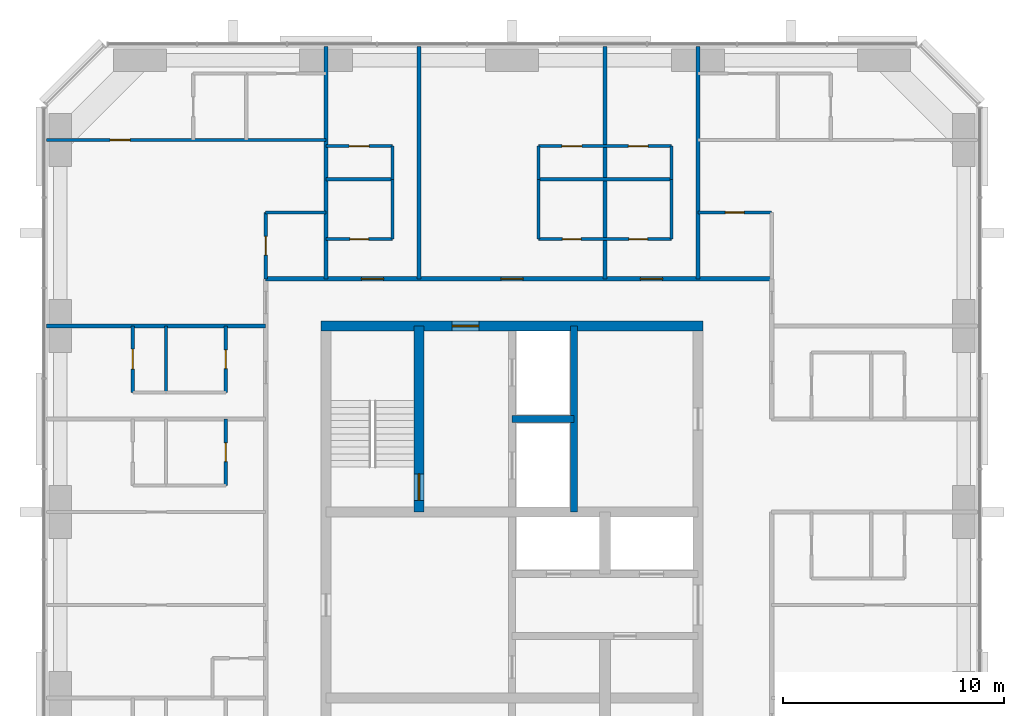
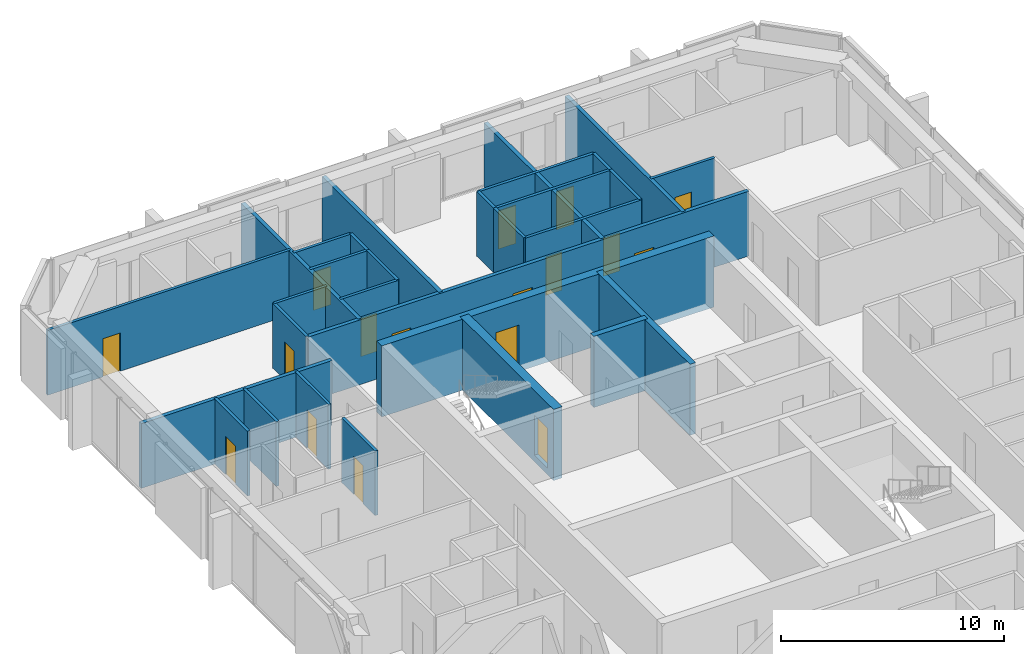
# One storey, part 10 of 12: 30 walls, 17 doors, 17 openings.
"""IFC4 building model written with IfcOpenShell, lengths in metres."""

from ifc_helpers import new_model, si_unit, direction, frame, frame_2d, origin, place, context, subcontext, project, spatial, rectangle, extrude, material, layer, layer_set, type_object, element, fill, save


model = new_model("IFC4")

# Units and contexts
model_context = context("Model", 3, precision=1e-05, world=origin(), true_north=direction((0.0, 1.0)))
body_context = subcontext(model_context, "Body", "Model", "MODEL_VIEW")
ifc_project = project(units=[si_unit("LENGTHUNIT", "METRE"), si_unit("AREAUNIT", "SQUARE_METRE"), si_unit("VOLUMEUNIT", "CUBIC_METRE"), si_unit("PLANEANGLEUNIT", "RADIAN"), si_unit("MASSUNIT", "GRAM", prefix="KILO")], contexts=[model_context])

# Site, building, storey
site_placement = place(None, origin())
site = spatial("IfcSite", under=ifc_project, at=site_placement, CompositionType="ELEMENT")
building_placement = place(site_placement, origin())
building = spatial("IfcBuilding", under=site, at=building_placement, Name="Dunama Terrace Hotel", CompositionType="ELEMENT")
storey_placement = place(building_placement, frame((0.0, 0.0, 268.5)))
storey = spatial("IfcBuildingStorey", under=building, at=storey_placement, Name="L69", CompositionType="ELEMENT", Elevation=268.5)

# Wall, opening, door
ifc_material_1 = material(Name="Gypsum board partition", Category="masonry")
ifc_layer_1 = layer(ifc_material_1, 0.14990234375)
ifc_layer_set_1 = layer_set([ifc_layer_1], Name="Bathroom partition 150")
wall_type_1 = type_object("IfcWallType", Name="Bathroom partition 150", PredefinedType="PARTITIONING", material=ifc_layer_set_1)
wall_1_placement = place(storey_placement, frame((20.675048828125, 34.800048828125, 0.0), z_axis=(0.0, 0.0, 1.0), x_axis=(0.0, 1.0, 0.0)))
wall_1 = element("IfcWall", 1, at=wall_1_placement, inside=storey, type_object=wall_type_1, Name="Bathroom partition 150 L69", PredefinedType="PARTITIONING", context=body_context, shape_type="SweptSolid", body=[
    extrude(rectangle(XDim=3.0, YDim=0.14990234375, at=frame_2d((1.5, 0.0))), origin(), (0.0, 0.0, 1.0), 3.550048828125),
])
opening_1_placement = place(wall_1_placement, frame((1.074951171875, 0.0, 0.0)))
opening_1 = element("IfcOpeningElement", 2, at=opening_1_placement, cuts=wall_1, Name="Opening L68-70-047", PredefinedType="OPENING", context=body_context, shape_type="SweptSolid", body=[
    extrude(rectangle(XDim=0.85009765625, YDim=2.10009765625, at=frame_2d((0.425048828125, 1.050048828125))), frame((0.0, 0.0849609375, 0.0), z_axis=(0.0, -1.0, 0.0), x_axis=(1.0, 0.0, 0.0)), (0.0, 0.0, 1.0), 0.169921875),
])
ifc_material_2 = material(Name="Timber door with steel frame", Category="steel")
door_type_1 = type_object("IfcDoorType", Name="Bathroom door 850", OperationType="SINGLE_SWING_LEFT", PredefinedType="DOOR", material=ifc_material_2)
door_1_placement = place(opening_1_placement, origin())
door_1 = element("IfcDoor", 3, at=door_1_placement, inside=storey, type_object=door_type_1, Name="Door to en-suite bathroom L68-70-047, type D2", OperationType="SINGLE_SWING_RIGHT", OverallHeight=2.10009765625, OverallWidth=0.85009765625, PredefinedType="DOOR", context=body_context, shape_type="SweptSolid", body=[
    extrude(rectangle(XDim=0.85009765625, YDim=2.10009765625, at=frame_2d((0.425048828125, 1.050048828125))), frame((0.0, 0.02490234375, 0.0), z_axis=(0.0, -1.0, 0.0), x_axis=(1.0, 0.0, 0.0)), (0.0, 0.0, 1.0), 0.050048828125),
])
fill(opening_1, door_1)

wall_2_placement = place(storey_placement, frame((20.675048828125, 39.0, 0.0), z_axis=(0.0, 0.0, 1.0), x_axis=(0.0, 1.0, 0.0)))
wall_2 = element("IfcWall", 4, at=wall_2_placement, inside=storey, type_object=wall_type_1, Name="Bathroom partition 150 L69", PredefinedType="PARTITIONING", context=body_context, shape_type="SweptSolid", body=[
    extrude(rectangle(XDim=3.0, YDim=0.14990234375, at=frame_2d((1.5, 0.0))), origin(), (0.0, 0.0, 1.0), 3.550048828125),
])
opening_2_placement = place(wall_2_placement, frame((1.074951171875, 0.0, 0.0)))
opening_2 = element("IfcOpeningElement", 5, at=opening_2_placement, cuts=wall_2, Name="Opening L68-70-050", PredefinedType="OPENING", context=body_context, shape_type="SweptSolid", body=[
    extrude(rectangle(XDim=0.85009765625, YDim=2.10009765625, at=frame_2d((0.425048828125, 1.050048828125))), frame((0.0, 0.0849609375, 0.0), z_axis=(0.0, -1.0, 0.0), x_axis=(1.0, 0.0, 0.0)), (0.0, 0.0, 1.0), 0.169921875),
])
door_2_placement = place(opening_2_placement, origin())
door_2 = element("IfcDoor", 6, at=door_2_placement, inside=storey, type_object=door_type_1, Name="Door to en-suite bathroom L68-70-050, type D2", OperationType="SINGLE_SWING_RIGHT", OverallHeight=2.10009765625, OverallWidth=0.85009765625, PredefinedType="DOOR", context=body_context, shape_type="SweptSolid", body=[
    extrude(rectangle(XDim=0.85009765625, YDim=2.10009765625, at=frame_2d((0.425048828125, 1.050048828125))), frame((0.0, 0.02490234375, 0.0), z_axis=(0.0, -1.0, 0.0), x_axis=(1.0, 0.0, 0.0)), (0.0, 0.0, 1.0), 0.050048828125),
])
fill(opening_2, door_2)

wall_3_placement = place(storey_placement, frame((22.47509765625, 44.125, 0.0), z_axis=(0.0, 0.0, 1.0), x_axis=(0.0, 1.0, 0.0)))
wall_3 = element("IfcWall", 7, at=wall_3_placement, inside=storey, type_object=wall_type_1, Name="Bathroom partition 150 L69", PredefinedType="PARTITIONING", context=body_context, shape_type="SweptSolid", body=[
    extrude(rectangle(XDim=3.0, YDim=0.14990234375, at=frame_2d((1.5, 0.0))), origin(), (0.0, 0.0, 1.0), 3.550048828125),
])
opening_3_placement = place(wall_3_placement, frame((1.074951171875, 0.0, 0.0)))
opening_3 = element("IfcOpeningElement", 8, at=opening_3_placement, cuts=wall_3, Name="Opening L68-70-068", PredefinedType="OPENING", context=body_context, shape_type="SweptSolid", body=[
    extrude(rectangle(XDim=0.85009765625, YDim=2.10009765625, at=frame_2d((0.425048828125, 1.050048828125))), frame((0.0, 0.0849609375, 0.0), z_axis=(0.0, -1.0, 0.0), x_axis=(1.0, 0.0, 0.0)), (0.0, 0.0, 1.0), 0.169921875),
])
door_3_placement = place(opening_3_placement, frame((0.85009765625, 0.0, 0.0), z_axis=(0.0, 0.0, 1.0), x_axis=(-1.0, 0.0, 0.0)))
door_3 = element("IfcDoor", 9, at=door_3_placement, inside=storey, type_object=door_type_1, Name="Door to powder room L68-70-068, type D2", OperationType="SINGLE_SWING_RIGHT", OverallHeight=2.10009765625, OverallWidth=0.85009765625, PredefinedType="DOOR", context=body_context, shape_type="SweptSolid", body=[
    extrude(rectangle(XDim=0.85009765625, YDim=2.10009765625, at=frame_2d((0.425048828125, 1.050048828125))), frame((0.0, 0.025146484375, 0.0), z_axis=(0.0, -1.0, 0.0), x_axis=(1.0, 0.0, 0.0)), (0.0, 0.0, 1.0), 0.050048828125),
])
fill(opening_3, door_3)

# Walls
for number, where, z_axis, x_axis, name in (
    (10, (28.199951171875, 45.925048828125, 0.0), (0.0, 0.0, 1.0), (0.0, 1.0, 0.0), "Bathroom partition 150 L69"),
    (11, (34.800048828125, 45.925048828125, 0.0), (0.0, 0.0, 1.0), (0.0, 1.0, 0.0), "Bathroom partition 150 L69"),
    (12, (40.800048828125, 45.925048828125, 0.0), (0.0, 0.0, 1.0), (0.0, 1.0, 0.0), "Bathroom partition 150 L69"),
):
    element("IfcWall", number, at=place(storey_placement, frame(where, z_axis=z_axis, x_axis=x_axis)), inside=storey, type_object=wall_type_1, Name=name, PredefinedType="PARTITIONING", context=body_context, shape_type="SweptSolid", body=[
        extrude(rectangle(XDim=2.699951171875, YDim=0.14990234375, at=frame_2d((1.35009765625, 0.0))), origin(), (0.0, 0.0, 1.0), 3.550048828125),
    ])

# Wall, opening, door
wall_4_placement = place(storey_placement, frame((25.199951171875, 45.925048828125, 0.0), z_axis=(0.0, 0.0, 1.0), x_axis=(1.0, 0.0, 0.0)))
wall_4 = element("IfcWall", 13, at=wall_4_placement, inside=storey, type_object=wall_type_1, Name="Bathroom partition 150 L69", PredefinedType="PARTITIONING", context=body_context, shape_type="SweptSolid", body=[
    extrude(rectangle(XDim=3.0, YDim=0.14990234375, at=frame_2d((1.5, 0.0))), origin(), (0.0, 0.0, 1.0), 3.550048828125),
])
opening_4_placement = place(wall_4_placement, frame((1.074951171875, 0.0, 0.0)))
opening_4 = element("IfcOpeningElement", 14, at=opening_4_placement, cuts=wall_4, Name="Opening L68-70-029", PredefinedType="OPENING", context=body_context, shape_type="SweptSolid", body=[
    extrude(rectangle(XDim=0.85009765625, YDim=2.10009765625, at=frame_2d((0.425048828125, 1.050048828125))), frame((0.0, 0.0849609375, 0.0), z_axis=(0.0, -1.0, 0.0), x_axis=(1.0, 0.0, 0.0)), (0.0, 0.0, 1.0), 0.169921875),
])
door_4_placement = place(opening_4_placement, origin())
door_4 = element("IfcDoor", 15, at=door_4_placement, inside=storey, type_object=door_type_1, Name="Door to en-suite bathroom L68-70-029, type D2", OperationType="SINGLE_SWING_LEFT", OverallHeight=2.10009765625, OverallWidth=0.85009765625, PredefinedType="DOOR", context=body_context, shape_type="SweptSolid", body=[
    extrude(rectangle(XDim=0.85009765625, YDim=2.10009765625, at=frame_2d((0.425048828125, 1.050048828125))), frame((0.0, 0.02490234375, 0.0), z_axis=(0.0, -1.0, 0.0), x_axis=(1.0, 0.0, 0.0)), (0.0, 0.0, 1.0), 0.050048828125),
])
fill(opening_4, door_4)

# Wall, openings, doors
wall_5_placement = place(storey_placement, frame((34.800048828125, 45.925048828125, 0.0), z_axis=(0.0, 0.0, 1.0), x_axis=(1.0, 0.0, 0.0)))
wall_5 = element("IfcWall", 16, at=wall_5_placement, inside=storey, type_object=wall_type_1, Name="Bathroom partition 150 L69", PredefinedType="PARTITIONING", context=body_context, shape_type="SweptSolid", body=[
    extrude(rectangle(XDim=6.0, YDim=0.14990234375, at=frame_2d((3.0, 0.0))), origin(), (0.0, 0.0, 1.0), 3.550048828125),
])
opening_5_placement = place(wall_5_placement, frame((1.074951171875, 0.0, 0.0)))
opening_5 = element("IfcOpeningElement", 17, at=opening_5_placement, cuts=wall_5, Name="Opening L68-70-032", PredefinedType="OPENING", context=body_context, shape_type="SweptSolid", body=[
    extrude(rectangle(XDim=0.85009765625, YDim=2.10009765625, at=frame_2d((0.425048828125, 1.050048828125))), frame((0.0, 0.0849609375, 0.0), z_axis=(0.0, -1.0, 0.0), x_axis=(1.0, 0.0, 0.0)), (0.0, 0.0, 1.0), 0.169921875),
])
opening_6_placement = place(wall_5_placement, frame((4.074951171875, 0.0, 0.0)))
opening_6 = element("IfcOpeningElement", 18, at=opening_6_placement, cuts=wall_5, Name="Opening L68-70-035", PredefinedType="OPENING", context=body_context, shape_type="SweptSolid", body=[
    extrude(rectangle(XDim=0.85009765625, YDim=2.10009765625, at=frame_2d((0.425048828125, 1.050048828125))), frame((0.0, 0.0849609375, 0.0), z_axis=(0.0, -1.0, 0.0), x_axis=(1.0, 0.0, 0.0)), (0.0, 0.0, 1.0), 0.169921875),
])
door_5_placement = place(opening_5_placement, origin())
door_5 = element("IfcDoor", 19, at=door_5_placement, inside=storey, type_object=door_type_1, Name="Door to en-suite bathroom L68-70-032, type D2", OperationType="SINGLE_SWING_RIGHT", OverallHeight=2.10009765625, OverallWidth=0.85009765625, PredefinedType="DOOR", context=body_context, shape_type="SweptSolid", body=[
    extrude(rectangle(XDim=0.85009765625, YDim=2.10009765625, at=frame_2d((0.425048828125, 1.050048828125))), frame((0.0, 0.02490234375, 0.0), z_axis=(0.0, -1.0, 0.0), x_axis=(1.0, 0.0, 0.0)), (0.0, 0.0, 1.0), 0.050048828125),
])
fill(opening_5, door_5)
door_6_placement = place(opening_6_placement, origin())
door_6 = element("IfcDoor", 20, at=door_6_placement, inside=storey, type_object=door_type_1, Name="Door to en-suite bathroom L68-70-035, type D2", OperationType="SINGLE_SWING_LEFT", OverallHeight=2.10009765625, OverallWidth=0.85009765625, PredefinedType="DOOR", context=body_context, shape_type="SweptSolid", body=[
    extrude(rectangle(XDim=0.85009765625, YDim=2.10009765625, at=frame_2d((0.425048828125, 1.050048828125))), frame((0.0, 0.02490234375, 0.0), z_axis=(0.0, -1.0, 0.0), x_axis=(1.0, 0.0, 0.0)), (0.0, 0.0, 1.0), 0.050048828125),
])
fill(opening_6, door_6)

# Wall
wall_6_placement = place(storey_placement, frame((22.47509765625, 47.125, 0.0), z_axis=(0.0, 0.0, 1.0), x_axis=(1.0, 0.0, 0.0)))
element("IfcWall", 21, at=wall_6_placement, inside=storey, type_object=wall_type_1, Name="Bathroom partition 150 L69", PredefinedType="PARTITIONING", context=body_context, shape_type="SweptSolid", body=[
    extrude(rectangle(XDim=2.724853515625, YDim=0.14990234375, at=frame_2d((1.3623046875, 0.0))), origin(), (0.0, 0.0, 1.0), 3.550048828125),
])

# Wall, opening, door
wall_7_placement = place(storey_placement, frame((42.0, 47.125, 0.0), z_axis=(0.0, 0.0, 1.0), x_axis=(1.0, 0.0, 0.0)))
wall_7 = element("IfcWall", 22, at=wall_7_placement, inside=storey, type_object=wall_type_1, Name="Bathroom partition 150 L69", PredefinedType="PARTITIONING", context=body_context, shape_type="SweptSolid", body=[
    extrude(rectangle(XDim=3.324951171875, YDim=0.14990234375, at=frame_2d((1.66259765625, 0.0))), origin(), (0.0, 0.0, 1.0), 3.550048828125),
])
opening_7_placement = place(wall_7_placement, frame((1.238037109375, 0.0, 0.0)))
opening_7 = element("IfcOpeningElement", 23, at=opening_7_placement, cuts=wall_7, Name="Opening L68-70-063", PredefinedType="OPENING", context=body_context, shape_type="SweptSolid", body=[
    extrude(rectangle(XDim=0.85009765625, YDim=2.10009765625, at=frame_2d((0.425048828125, 1.050048828125))), frame((0.0, 0.0849609375, 0.0), z_axis=(0.0, -1.0, 0.0), x_axis=(1.0, 0.0, 0.0)), (0.0, 0.0, 1.0), 0.169921875),
])
door_7_placement = place(opening_7_placement, frame((0.85009765625, 0.0, 0.0), z_axis=(0.0, 0.0, 1.0), x_axis=(-1.0, 0.0, 0.0)))
door_7 = element("IfcDoor", 24, at=door_7_placement, inside=storey, type_object=door_type_1, Name="Door to powder room L68-70-063, type D2", OperationType="SINGLE_SWING_RIGHT", OverallHeight=2.10009765625, OverallWidth=0.85009765625, PredefinedType="DOOR", context=body_context, shape_type="SweptSolid", body=[
    extrude(rectangle(XDim=0.85009765625, YDim=2.10009765625, at=frame_2d((0.425048828125, 1.050048828125))), frame((0.0, 0.025146484375, 0.0), z_axis=(0.0, -1.0, 0.0), x_axis=(1.0, 0.0, 0.0)), (0.0, 0.0, 1.0), 0.050048828125),
])
fill(opening_7, door_7)

# Walls
ifc_material_3 = material(Name="Concrete C50/60", Category="concrete")
ifc_layer_2 = layer(ifc_material_3, 0.300048828125)
ifc_layer_set_2 = layer_set([ifc_layer_2], Name="Core inner wall 300")
wall_type_2 = type_object("IfcWallType", Name="Core inner wall 300", PredefinedType="SHEAR", material=ifc_layer_set_2)
wall_8_placement = place(storey_placement, frame((36.39990234375, 33.60009765625, -0.35009765625), z_axis=(0.0, 0.0, 1.0), x_axis=(0.0, 1.0, 0.0)))
element("IfcWall", 25, at=wall_8_placement, inside=storey, type_object=wall_type_2, Name="Core inner wall 300 L69", PredefinedType="SHEAR", context=body_context, shape_type="SweptSolid", body=[
    extrude(rectangle(XDim=8.39990234375, YDim=0.300048828125, at=frame_2d((4.199951171875, 0.0))), origin(), (0.0, 0.0, 1.0), 3.900146484375),
])
wall_9_placement = place(storey_placement, frame((33.60009765625, 37.800048828125, -0.35009765625), z_axis=(0.0, 0.0, 1.0), x_axis=(1.0, 0.0, 0.0)))
element("IfcWall", 26, at=wall_9_placement, inside=storey, type_object=wall_type_2, Name="Core inner wall 300 L69", PredefinedType="SHEAR", context=body_context, shape_type="SweptSolid", body=[
    extrude(rectangle(XDim=2.7998046875, YDim=0.300048828125, at=frame_2d((1.39990234375, 0.0))), origin(), (0.0, 0.0, 1.0), 3.900146484375),
])

# Wall, opening, door
ifc_material_4 = material(Name="Concrete C50/60", Category="concrete")
ifc_layer_3 = layer(ifc_material_4, 0.449951171875)
ifc_layer_set_3 = layer_set([ifc_layer_3], Name="Core inner wall 450")
wall_type_3 = type_object("IfcWallType", Name="Core inner wall 450", PredefinedType="SHEAR", material=ifc_layer_set_3)
wall_10_placement = place(storey_placement, frame((29.39990234375, 33.60009765625, -0.35009765625), z_axis=(0.0, 0.0, 1.0), x_axis=(0.0, 1.0, 0.0)))
wall_10 = element("IfcWall", 27, at=wall_10_placement, inside=storey, type_object=wall_type_3, Name="Core inner wall 450 L69", PredefinedType="SHEAR", context=body_context, shape_type="SweptSolid", body=[
    extrude(rectangle(XDim=8.39990234375, YDim=0.449951171875, at=frame_2d((4.199951171875, 0.0))), origin(), (0.0, 0.0, 1.0), 3.900146484375),
])
opening_8_placement = place(wall_10_placement, frame((0.52490234375, 0.0, 0.35009765625)))
opening_8 = element("IfcOpeningElement", 28, at=opening_8_placement, cuts=wall_10, Name="Opening L68-70-001", PredefinedType="OPENING", context=body_context, shape_type="SweptSolid", body=[
    extrude(rectangle(XDim=1.199951171875, YDim=2.199951171875, at=frame_2d((0.60009765625, 1.10009765625))), frame((0.0, 0.23486328125, 0.0), z_axis=(0.0, -1.0, 0.0), x_axis=(1.0, 0.0, 0.0)), (0.0, 0.0, 1.0), 0.469970703125),
])
ifc_material_5 = material(Name="Timber door with steel frame", Category="steel")
door_type_2 = type_object("IfcDoorType", Name="Stair door 1200", OperationType="SINGLE_SWING_LEFT", PredefinedType="DOOR", material=ifc_material_5)
door_8_placement = place(opening_8_placement, origin())
door_8 = element("IfcDoor", 29, at=door_8_placement, inside=storey, type_object=door_type_2, Name="Stair door ST1 L68-70-001, type D5", OperationType="SINGLE_SWING_LEFT", OverallHeight=2.199951171875, OverallWidth=1.199951171875, PredefinedType="DOOR", context=body_context, shape_type="SweptSolid", body=[
    extrude(rectangle(XDim=1.199951171875, YDim=2.199951171875, at=frame_2d((0.60009765625, 1.10009765625))), frame((0.0, 0.02490234375, 0.0), z_axis=(0.0, -1.0, 0.0), x_axis=(1.0, 0.0, 0.0)), (0.0, 0.0, 1.0), 0.050048828125),
])
fill(opening_8, door_8)

ifc_material_6 = material(Name="Concrete C50/60", Category="concrete")
ifc_layer_4 = layer(ifc_material_6, 0.449951171875)
ifc_layer_set_4 = layer_set([ifc_layer_4], Name="Core wall 450")
wall_type_4 = type_object("IfcWallType", Name="Core wall 450", PredefinedType="SHEAR", material=ifc_layer_set_4)
wall_11_placement = place(storey_placement, frame((42.22509765625, 42.0, -0.35009765625), z_axis=(0.0, 0.0, 1.0), x_axis=(-1.0, 0.0, 0.0)))
wall_11 = element("IfcWall", 30, at=wall_11_placement, inside=storey, type_object=wall_type_4, Name="Core wall north L69", PredefinedType="SHEAR", context=body_context, shape_type="SweptSolid", body=[
    extrude(rectangle(XDim=17.25, YDim=0.449951171875, at=frame_2d((8.625, 0.0))), origin(), (0.0, 0.0, 1.0), 3.900146484375),
])
opening_9_placement = place(wall_11_placement, frame((10.125, 0.0, 0.35009765625)))
opening_9 = element("IfcOpeningElement", 31, at=opening_9_placement, cuts=wall_11, Name="Opening L68-70-076", PredefinedType="OPENING", context=body_context, shape_type="SweptSolid", body=[
    extrude(rectangle(XDim=1.199951171875, YDim=2.199951171875, at=frame_2d((0.60009765625, 1.10009765625))), frame((0.0, 0.23486328125, 0.0), z_axis=(0.0, -1.0, 0.0), x_axis=(1.0, 0.0, 0.0)), (0.0, 0.0, 1.0), 0.469970703125),
])
ifc_material_7 = material(Name="Timber door with steel frame", Category="steel")
door_type_3 = type_object("IfcDoorType", Name="Firefighting lobby door 1200", OperationType="SINGLE_SWING_LEFT", PredefinedType="DOOR", material=ifc_material_7)
door_9_placement = place(opening_9_placement, origin())
door_9 = element("IfcDoor", 32, at=door_9_placement, inside=storey, type_object=door_type_3, Name="Door to firefighting lobby L68-70-076, type D4", OperationType="SINGLE_SWING_RIGHT", OverallHeight=2.199951171875, OverallWidth=1.199951171875, PredefinedType="DOOR", context=body_context, shape_type="SweptSolid", body=[
    extrude(rectangle(XDim=1.199951171875, YDim=2.199951171875, at=frame_2d((0.60009765625, 1.10009765625))), frame((0.0, 0.02490234375, 0.0), z_axis=(0.0, -1.0, 0.0), x_axis=(1.0, 0.0, 0.0)), (0.0, 0.0, 1.0), 0.050048828125),
])
fill(opening_9, door_9)

# Wall, openings, doors
ifc_material_8 = material(Name="Concrete blockwork", Category="masonry")
ifc_layer_5 = layer(ifc_material_8, 0.199951171875)
ifc_layer_set_5 = layer_set([ifc_layer_5], Name="Corridor partition 200")
wall_type_5 = type_object("IfcWallType", Name="Corridor partition 200", PredefinedType="PARTITIONING", material=ifc_layer_set_5)
wall_12_placement = place(storey_placement, frame((22.47509765625, 44.125, 0.0), z_axis=(0.0, 0.0, 1.0), x_axis=(1.0, 0.0, 0.0)))
wall_12 = element("IfcWall", 33, at=wall_12_placement, inside=storey, type_object=wall_type_5, Name="Corridor partition 200 L69", PredefinedType="PARTITIONING", context=body_context, shape_type="SweptSolid", body=[
    extrude(rectangle(XDim=22.849853515625, YDim=0.199951171875, at=frame_2d((11.4248046875, 0.0))), origin(), (0.0, 0.0, 1.0), 3.550048828125),
])
opening_10_placement = place(wall_12_placement, frame((4.324951171875, 0.0, 0.0)))
opening_10 = element("IfcOpeningElement", 34, at=opening_10_placement, cuts=wall_12, Name="Opening L68-70-028", PredefinedType="OPENING", context=body_context, shape_type="SweptSolid", body=[
    extrude(rectangle(XDim=1.0, YDim=2.199951171875, at=frame_2d((0.5, 1.10009765625))), frame((0.0, 0.10986328125, 0.0), z_axis=(0.0, -1.0, 0.0), x_axis=(1.0, 0.0, 0.0)), (0.0, 0.0, 1.0), 0.219970703125),
])
opening_11_placement = place(wall_12_placement, frame((10.625, 0.0, 0.0)))
opening_11 = element("IfcOpeningElement", 35, at=opening_11_placement, cuts=wall_12, Name="Opening L68-70-031", PredefinedType="OPENING", context=body_context, shape_type="SweptSolid", body=[
    extrude(rectangle(XDim=1.0, YDim=2.199951171875, at=frame_2d((0.5, 1.10009765625))), frame((0.0, 0.10986328125, 0.0), z_axis=(0.0, -1.0, 0.0), x_axis=(1.0, 0.0, 0.0)), (0.0, 0.0, 1.0), 0.219970703125),
])
opening_12_placement = place(wall_12_placement, frame((16.925048828125, 0.0, 0.0)))
opening_12 = element("IfcOpeningElement", 36, at=opening_12_placement, cuts=wall_12, Name="Opening L68-70-034", PredefinedType="OPENING", context=body_context, shape_type="SweptSolid", body=[
    extrude(rectangle(XDim=1.0, YDim=2.199951171875, at=frame_2d((0.5, 1.10009765625))), frame((0.0, 0.10986328125, 0.0), z_axis=(0.0, -1.0, 0.0), x_axis=(1.0, 0.0, 0.0)), (0.0, 0.0, 1.0), 0.219970703125),
])
ifc_material_9 = material(Name="Timber door with steel frame", Category="steel")
door_type_4 = type_object("IfcDoorType", Name="Guest room door 1000", OperationType="SINGLE_SWING_LEFT", PredefinedType="DOOR", material=ifc_material_9)
door_10_placement = place(opening_10_placement, origin())
door_10 = element("IfcDoor", 37, at=door_10_placement, inside=storey, type_object=door_type_4, Name="Door to studio suite L68-70-028, type D1", OperationType="SINGLE_SWING_LEFT", OverallHeight=2.199951171875, OverallWidth=1.0, PredefinedType="DOOR", context=body_context, shape_type="SweptSolid", body=[
    extrude(rectangle(XDim=1.0, YDim=2.199951171875, at=frame_2d((0.5, 1.10009765625))), frame((0.0, 0.02490234375, 0.0), z_axis=(0.0, -1.0, 0.0), x_axis=(1.0, 0.0, 0.0)), (0.0, 0.0, 1.0), 0.050048828125),
])
fill(opening_10, door_10)
door_11_placement = place(opening_11_placement, origin())
door_11 = element("IfcDoor", 38, at=door_11_placement, inside=storey, type_object=door_type_4, Name="Door to junior suite L68-70-031, type D1", OperationType="SINGLE_SWING_RIGHT", OverallHeight=2.199951171875, OverallWidth=1.0, PredefinedType="DOOR", context=body_context, shape_type="SweptSolid", body=[
    extrude(rectangle(XDim=1.0, YDim=2.199951171875, at=frame_2d((0.5, 1.10009765625))), frame((0.0, 0.02490234375, 0.0), z_axis=(0.0, -1.0, 0.0), x_axis=(1.0, 0.0, 0.0)), (0.0, 0.0, 1.0), 0.050048828125),
])
fill(opening_11, door_11)
door_12_placement = place(opening_12_placement, origin())
door_12 = element("IfcDoor", 39, at=door_12_placement, inside=storey, type_object=door_type_4, Name="Door to studio suite L68-70-034, type D1", OperationType="SINGLE_SWING_LEFT", OverallHeight=2.199951171875, OverallWidth=1.0, PredefinedType="DOOR", context=body_context, shape_type="SweptSolid", body=[
    extrude(rectangle(XDim=1.0, YDim=2.199951171875, at=frame_2d((0.5, 1.10009765625))), frame((0.0, 0.02490234375, 0.0), z_axis=(0.0, -1.0, 0.0), x_axis=(1.0, 0.0, 0.0)), (0.0, 0.0, 1.0), 0.050048828125),
])
fill(opening_12, door_12)

# Walls
ifc_material_10 = material(Name="Concrete blockwork", Category="masonry")
ifc_layer_6 = layer(ifc_material_10, 0.199951171875)
ifc_layer_set_6 = layer_set([ifc_layer_6], Name="Party wall 200")
wall_type_6 = type_object("IfcWallType", Name="Party wall 200", PredefinedType="PARTITIONING", material=ifc_layer_set_6)
for number, where, z_axis, x_axis, name in (
    (40, (25.199951171875, 44.125, 0.0), (0.0, 0.0, 1.0), (0.0, 1.0, 0.0), "Party wall 200 L69"),
    (41, (29.39990234375, 44.125, 0.0), (0.0, 0.0, 1.0), (0.0, 1.0, 0.0), "Party wall 200 L69"),
    (42, (37.800048828125, 44.125, 0.0), (0.0, 0.0, 1.0), (0.0, 1.0, 0.0), "Party wall 200 L69"),
    (43, (42.0, 44.125, 0.0), (0.0, 0.0, 1.0), (0.0, 1.0, 0.0), "Party wall 200 L69"),
):
    element("IfcWall", number, at=place(storey_placement, frame(where, z_axis=z_axis, x_axis=x_axis)), inside=storey, type_object=wall_type_6, Name=name, PredefinedType="PARTITIONING", context=body_context, shape_type="SweptSolid", body=[
        extrude(rectangle(XDim=10.492919921875, YDim=0.199951171875, at=frame_2d((5.24658203125, 0.0))), origin(), (0.0, 0.0, 1.0), 3.550048828125),
    ])
wall_13_placement = place(storey_placement, frame((12.58203125, 42.0, 0.0), z_axis=(0.0, 0.0, 1.0), x_axis=(1.0, 0.0, 0.0)))
element("IfcWall", 44, at=wall_13_placement, inside=storey, type_object=wall_type_6, Name="Party wall 200 L69", PredefinedType="PARTITIONING", context=body_context, shape_type="SweptSolid", body=[
    extrude(rectangle(XDim=9.89306640625, YDim=0.199951171875, at=frame_2d((4.946533203125, 0.0))), origin(), (0.0, 0.0, 1.0), 3.550048828125),
])

# Wall, opening, door
ifc_material_11 = material(Name="Gypsum board partition", Category="masonry")
ifc_layer_7 = layer(ifc_material_11, 0.14990234375)
ifc_layer_set_7 = layer_set([ifc_layer_7], Name="Room partition 150")
wall_type_7 = type_object("IfcWallType", Name="Room partition 150", PredefinedType="PARTITIONING", material=ifc_layer_set_7)
wall_14_placement = place(storey_placement, frame((16.47509765625, 39.0, 0.0), z_axis=(0.0, 0.0, 1.0), x_axis=(0.0, 1.0, 0.0)))
wall_14 = element("IfcWall", 45, at=wall_14_placement, inside=storey, type_object=wall_type_7, Name="Room partition 150 L69", PredefinedType="PARTITIONING", context=body_context, shape_type="SweptSolid", body=[
    extrude(rectangle(XDim=3.0, YDim=0.14990234375, at=frame_2d((1.5, 0.0))), origin(), (0.0, 0.0, 1.0), 3.550048828125),
])
opening_13_placement = place(wall_14_placement, frame((1.050048828125, 0.0, 0.0)))
opening_13 = element("IfcOpeningElement", 46, at=opening_13_placement, cuts=wall_14, Name="Opening L68-70-051", PredefinedType="OPENING", context=body_context, shape_type="SweptSolid", body=[
    extrude(rectangle(XDim=0.89990234375, YDim=2.10009765625, at=frame_2d((0.449951171875, 1.050048828125))), frame((0.0, 0.0849609375, 0.0), z_axis=(0.0, -1.0, 0.0), x_axis=(1.0, 0.0, 0.0)), (0.0, 0.0, 1.0), 0.169921875),
])
ifc_material_12 = material(Name="Timber door with steel frame", Category="steel")
door_type_5 = type_object("IfcDoorType", Name="Suite internal door 900", OperationType="SINGLE_SWING_LEFT", PredefinedType="DOOR", material=ifc_material_12)
door_13_placement = place(opening_13_placement, frame((0.89990234375, 0.0, 0.0), z_axis=(0.0, 0.0, 1.0), x_axis=(-1.0, 0.0, 0.0)))
door_13 = element("IfcDoor", 47, at=door_13_placement, inside=storey, type_object=door_type_5, Name="Door to walk-in wardrobe L68-70-051, type D16", OperationType="SINGLE_SWING_RIGHT", OverallHeight=2.10009765625, OverallWidth=0.89990234375, PredefinedType="DOOR", context=body_context, shape_type="SweptSolid", body=[
    extrude(rectangle(XDim=0.89990234375, YDim=2.10009765625, at=frame_2d((0.449951171875, 1.050048828125))), frame((0.0, 0.025146484375, 0.0), z_axis=(0.0, -1.0, 0.0), x_axis=(1.0, 0.0, 0.0)), (0.0, 0.0, 1.0), 0.050048828125),
])
fill(opening_13, door_13)

# Walls
wall_15_placement = place(storey_placement, frame((17.97509765625, 39.0, 0.0), z_axis=(0.0, 0.0, 1.0), x_axis=(0.0, 1.0, 0.0)))
element("IfcWall", 48, at=wall_15_placement, inside=storey, type_object=wall_type_7, Name="Room partition 150 L69", PredefinedType="PARTITIONING", context=body_context, shape_type="SweptSolid", body=[
    extrude(rectangle(XDim=3.0, YDim=0.14990234375, at=frame_2d((1.5, 0.0))), origin(), (0.0, 0.0, 1.0), 3.550048828125),
])
for number, where, z_axis, x_axis, name in (
    (49, (28.199951171875, 48.625, 0.0), (0.0, 0.0, 1.0), (0.0, 1.0, 0.0), "Room partition 150 L69"),
    (50, (34.800048828125, 48.625, 0.0), (0.0, 0.0, 1.0), (0.0, 1.0, 0.0), "Room partition 150 L69"),
    (51, (40.800048828125, 48.625, 0.0), (0.0, 0.0, 1.0), (0.0, 1.0, 0.0), "Room partition 150 L69"),
):
    element("IfcWall", number, at=place(storey_placement, frame(where, z_axis=z_axis, x_axis=x_axis)), inside=storey, type_object=wall_type_7, Name=name, PredefinedType="PARTITIONING", context=body_context, shape_type="SweptSolid", body=[
        extrude(rectangle(XDim=1.5, YDim=0.14990234375, at=frame_2d((0.75, 0.0))), origin(), (0.0, 0.0, 1.0), 3.550048828125),
    ])
wall_16_placement = place(storey_placement, frame((25.199951171875, 48.625, 0.0), z_axis=(0.0, 0.0, 1.0), x_axis=(1.0, 0.0, 0.0)))
element("IfcWall", 52, at=wall_16_placement, inside=storey, type_object=wall_type_7, Name="Room partition 150 L69", PredefinedType="PARTITIONING", context=body_context, shape_type="SweptSolid", body=[
    extrude(rectangle(XDim=3.0, YDim=0.14990234375, at=frame_2d((1.5, 0.0))), origin(), (0.0, 0.0, 1.0), 3.550048828125),
])
wall_17_placement = place(storey_placement, frame((34.800048828125, 48.625, 0.0), z_axis=(0.0, 0.0, 1.0), x_axis=(1.0, 0.0, 0.0)))
element("IfcWall", 53, at=wall_17_placement, inside=storey, type_object=wall_type_7, Name="Room partition 150 L69", PredefinedType="PARTITIONING", context=body_context, shape_type="SweptSolid", body=[
    extrude(rectangle(XDim=6.0, YDim=0.14990234375, at=frame_2d((3.0, 0.0))), origin(), (0.0, 0.0, 1.0), 3.550048828125),
])

# Wall, opening, door
wall_18_placement = place(storey_placement, frame((25.199951171875, 50.125, 0.0), z_axis=(0.0, 0.0, 1.0), x_axis=(1.0, 0.0, 0.0)))
wall_18 = element("IfcWall", 54, at=wall_18_placement, inside=storey, type_object=wall_type_7, Name="Room partition 150 L69", PredefinedType="PARTITIONING", context=body_context, shape_type="SweptSolid", body=[
    extrude(rectangle(XDim=3.0, YDim=0.14990234375, at=frame_2d((1.5, 0.0))), origin(), (0.0, 0.0, 1.0), 3.550048828125),
])
opening_14_placement = place(wall_18_placement, frame((1.050048828125, 0.0, 0.0)))
opening_14 = element("IfcOpeningElement", 55, at=opening_14_placement, cuts=wall_18, Name="Opening L68-70-030", PredefinedType="OPENING", context=body_context, shape_type="SweptSolid", body=[
    extrude(rectangle(XDim=0.89990234375, YDim=2.10009765625, at=frame_2d((0.449951171875, 1.050048828125))), frame((0.0, 0.0849609375, 0.0), z_axis=(0.0, -1.0, 0.0), x_axis=(1.0, 0.0, 0.0)), (0.0, 0.0, 1.0), 0.169921875),
])
door_14_placement = place(opening_14_placement, frame((0.89990234375, 0.0, 0.0), z_axis=(0.0, 0.0, 1.0), x_axis=(-1.0, 0.0, 0.0)))
door_14 = element("IfcDoor", 56, at=door_14_placement, inside=storey, type_object=door_type_5, Name="Door to walk-in wardrobe L68-70-030, type D16", OperationType="SINGLE_SWING_RIGHT", OverallHeight=2.10009765625, OverallWidth=0.89990234375, PredefinedType="DOOR", context=body_context, shape_type="SweptSolid", body=[
    extrude(rectangle(XDim=0.89990234375, YDim=2.10009765625, at=frame_2d((0.449951171875, 1.050048828125))), frame((0.0, 0.025146484375, 0.0), z_axis=(0.0, -1.0, 0.0), x_axis=(1.0, 0.0, 0.0)), (0.0, 0.0, 1.0), 0.050048828125),
])
fill(opening_14, door_14)

# Wall, openings, doors
wall_19_placement = place(storey_placement, frame((34.800048828125, 50.125, 0.0), z_axis=(0.0, 0.0, 1.0), x_axis=(1.0, 0.0, 0.0)))
wall_19 = element("IfcWall", 57, at=wall_19_placement, inside=storey, type_object=wall_type_7, Name="Room partition 150 L69", PredefinedType="PARTITIONING", context=body_context, shape_type="SweptSolid", body=[
    extrude(rectangle(XDim=6.0, YDim=0.14990234375, at=frame_2d((3.0, 0.0))), origin(), (0.0, 0.0, 1.0), 3.550048828125),
])
opening_15_placement = place(wall_19_placement, frame((1.050048828125, 0.0, 0.0)))
opening_15 = element("IfcOpeningElement", 58, at=opening_15_placement, cuts=wall_19, Name="Opening L68-70-033", PredefinedType="OPENING", context=body_context, shape_type="SweptSolid", body=[
    extrude(rectangle(XDim=0.89990234375, YDim=2.10009765625, at=frame_2d((0.449951171875, 1.050048828125))), frame((0.0, 0.0849609375, 0.0), z_axis=(0.0, -1.0, 0.0), x_axis=(1.0, 0.0, 0.0)), (0.0, 0.0, 1.0), 0.169921875),
])
opening_16_placement = place(wall_19_placement, frame((4.050048828125, 0.0, 0.0)))
opening_16 = element("IfcOpeningElement", 59, at=opening_16_placement, cuts=wall_19, Name="Opening L68-70-036", PredefinedType="OPENING", context=body_context, shape_type="SweptSolid", body=[
    extrude(rectangle(XDim=0.89990234375, YDim=2.10009765625, at=frame_2d((0.449951171875, 1.050048828125))), frame((0.0, 0.0849609375, 0.0), z_axis=(0.0, -1.0, 0.0), x_axis=(1.0, 0.0, 0.0)), (0.0, 0.0, 1.0), 0.169921875),
])
door_15_placement = place(opening_15_placement, frame((0.89990234375, 0.0, 0.0), z_axis=(0.0, 0.0, 1.0), x_axis=(-1.0, 0.0, 0.0)))
door_15 = element("IfcDoor", 60, at=door_15_placement, inside=storey, type_object=door_type_5, Name="Door to walk-in wardrobe L68-70-033, type D16", OperationType="SINGLE_SWING_RIGHT", OverallHeight=2.10009765625, OverallWidth=0.89990234375, PredefinedType="DOOR", context=body_context, shape_type="SweptSolid", body=[
    extrude(rectangle(XDim=0.89990234375, YDim=2.10009765625, at=frame_2d((0.449951171875, 1.050048828125))), frame((0.0, 0.025146484375, 0.0), z_axis=(0.0, -1.0, 0.0), x_axis=(1.0, 0.0, 0.0)), (0.0, 0.0, 1.0), 0.050048828125),
])
fill(opening_15, door_15)
door_16_placement = place(opening_16_placement, frame((0.89990234375, 0.0, 0.0), z_axis=(0.0, 0.0, 1.0), x_axis=(-1.0, 0.0, 0.0)))
door_16 = element("IfcDoor", 61, at=door_16_placement, inside=storey, type_object=door_type_5, Name="Door to walk-in wardrobe L68-70-036, type D16", OperationType="SINGLE_SWING_RIGHT", OverallHeight=2.10009765625, OverallWidth=0.89990234375, PredefinedType="DOOR", context=body_context, shape_type="SweptSolid", body=[
    extrude(rectangle(XDim=0.89990234375, YDim=2.10009765625, at=frame_2d((0.449951171875, 1.050048828125))), frame((0.0, 0.025146484375, 0.0), z_axis=(0.0, -1.0, 0.0), x_axis=(1.0, 0.0, 0.0)), (0.0, 0.0, 1.0), 0.050048828125),
])
fill(opening_16, door_16)

# Wall, opening, door
wall_20_placement = place(storey_placement, frame((12.58203125, 50.39990234375, 0.0), z_axis=(0.0, 0.0, 1.0), x_axis=(1.0, 0.0, 0.0)))
wall_20 = element("IfcWall", 62, at=wall_20_placement, inside=storey, type_object=wall_type_7, Name="Room partition 150 L69", PredefinedType="PARTITIONING", context=body_context, shape_type="SweptSolid", body=[
    extrude(rectangle(XDim=12.617919921875, YDim=0.14990234375, at=frame_2d((6.30908203125, 0.0))), origin(), (0.0, 0.0, 1.0), 3.550048828125),
])
opening_17_placement = place(wall_20_placement, frame((2.867919921875, 0.0, 0.0)))
opening_17 = element("IfcOpeningElement", 63, at=opening_17_placement, cuts=wall_20, Name="Opening L68-70-069", PredefinedType="OPENING", context=body_context, shape_type="SweptSolid", body=[
    extrude(rectangle(XDim=0.89990234375, YDim=2.10009765625, at=frame_2d((0.449951171875, 1.050048828125))), frame((0.0, 0.0849609375, 0.0), z_axis=(0.0, -1.0, 0.0), x_axis=(1.0, 0.0, 0.0)), (0.0, 0.0, 1.0), 0.169921875),
])
door_17_placement = place(opening_17_placement, origin())
door_17 = element("IfcDoor", 64, at=door_17_placement, inside=storey, type_object=door_type_5, Name="Door to grand corner suite bedroom L68-70-069, type D16", OperationType="SINGLE_SWING_LEFT", OverallHeight=2.10009765625, OverallWidth=0.89990234375, PredefinedType="DOOR", context=body_context, shape_type="SweptSolid", body=[
    extrude(rectangle(XDim=0.89990234375, YDim=2.10009765625, at=frame_2d((0.449951171875, 1.050048828125))), frame((0.0, 0.02490234375, 0.0), z_axis=(0.0, -1.0, 0.0), x_axis=(1.0, 0.0, 0.0)), (0.0, 0.0, 1.0), 0.050048828125),
])
fill(opening_17, door_17)

save(model, "model.ifc")
